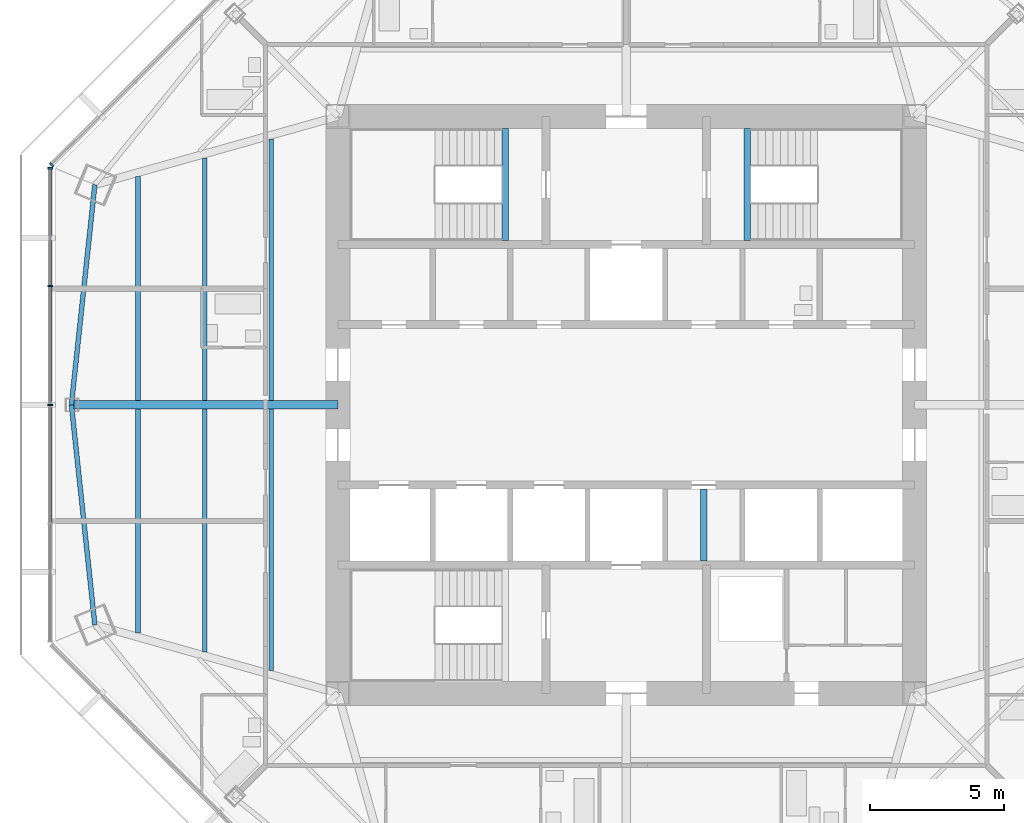
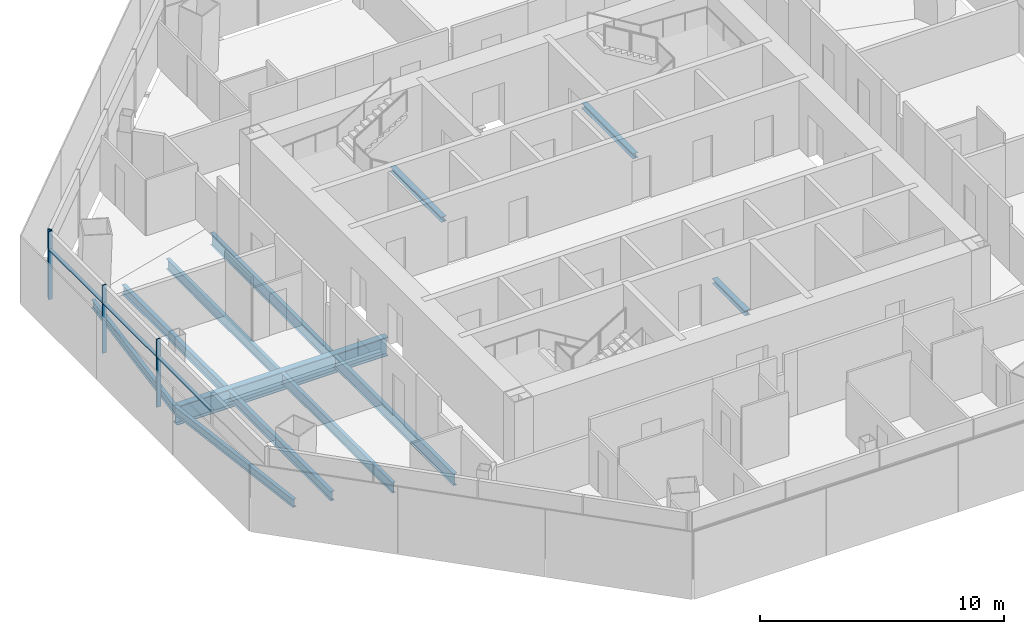
# One storey, part 3 of 15: 12 beams, 7 members, 2 elements without a shape of their own.
"""IFC4 building model written with IfcOpenShell, lengths in metres."""

import ifcopenshell
import ifcopenshell.guid

model = None  # the IFC model being written
_history = None  # IfcOwnerHistory: only IFC2X3 demands one
_inside = {}  # id of a spatial element -> (the spatial element, [elements in it])
_under = {}  # id of a project, library or spatial element -> (it, [spatial elements below it])
_declared = {}  # id of a project -> (the project, [libraries it declares])
_typed = {}  # id of a type object -> (the type object, [elements of that type])
_made_of = {}  # id of a material, layer set ... -> (it, [elements and type objects made of it])


def new_model(schema):
    """Start an empty IFC model of exactly this schema.

    Asked for "IFC4X3", IfcOpenShell would pick the latest addendum, in which some entities
    have other attributes; the version numbers below select the first issue.
    IFC2X3 requires an IfcOwnerHistory on every rooted entity: one is made here for all.
    """
    global model, _history
    if schema == "IFC4X3":
        model = ifcopenshell.file(schema_version=(4, 3, 0, 0))
    else:
        model = ifcopenshell.file(schema=schema)
    _inside.clear()
    _under.clear()
    _declared.clear()
    _typed.clear()
    _made_of.clear()
    _history = None
    if model.schema == "IFC2X3":
        org = make("IfcOrganization", Name="unknown")
        user = make(
            "IfcPersonAndOrganization",
            ThePerson=make("IfcPerson", FamilyName="unknown"),
            TheOrganization=org,
        )
        app = make(
            "IfcApplication",
            ApplicationDeveloper=org,
            Version="unknown",
            ApplicationFullName="unknown",
            ApplicationIdentifier="unknown",
        )
        _history = make(
            "IfcOwnerHistory",
            OwningUser=user,
            OwningApplication=app,
            ChangeAction="ADDED",
            CreationDate=0,
        )
    return model


def make(cls, **values):
    """One entity of the class cls with the attributes given. An attribute that is None is left unset."""
    return model.create_entity(
        cls, **{name: value for name, value in values.items() if value is not None}
    )


def rooted(cls, **values):
    """An entity with a GlobalId (a new one), such as an element, a storey or a relation."""
    return make(cls, GlobalId=ifcopenshell.guid.new(), OwnerHistory=_history, **values)


def si_unit(unit_type, name, prefix=None):
    """IfcSIUnit, for example si_unit("LENGTHUNIT", "METRE", prefix="MILLI")."""
    return make("IfcSIUnit", UnitType=unit_type, Prefix=prefix, Name=name)


def assignment(units):
    """IfcUnitAssignment: the units of a project."""
    return None if units is None else make("IfcUnitAssignment", Units=units)


def point(xyz):
    """IfcCartesianPoint."""
    return None if xyz is None else make("IfcCartesianPoint", Coordinates=xyz)


def direction(xyz):
    """IfcDirection."""
    return None if xyz is None else make("IfcDirection", DirectionRatios=xyz)


def frame(location, z_axis=None, x_axis=None):
    """IfcAxis2Placement3D, a coordinate frame: its origin and axes. An axis left out is left unset."""
    return make(
        "IfcAxis2Placement3D",
        Location=point(location),
        Axis=direction(z_axis),
        RefDirection=direction(x_axis),
    )


def frame_2d(location, x_axis=None):
    """IfcAxis2Placement2D, a coordinate frame in the plane: its origin and x axis."""
    return make(
        "IfcAxis2Placement2D", Location=point(location), RefDirection=direction(x_axis)
    )


def origin():
    """The frame at (0, 0, 0) with its axes left unset."""
    return frame((0.0, 0.0, 0.0))


def origin_2d():
    """The frame at (0, 0) in the plane with its x axis left unset."""
    return frame_2d((0.0, 0.0))


def place(relative_to, where):
    """IfcLocalPlacement: puts the frame where relative to a parent placement (None: the world)."""
    return make(
        "IfcLocalPlacement", PlacementRelTo=relative_to, RelativePlacement=where
    )


def context(
    kind, dimensions, precision=None, world=None, true_north=None, identifier=None
):
    """IfcGeometricRepresentationContext, for example the 3D "Model" context."""
    return make(
        "IfcGeometricRepresentationContext",
        ContextIdentifier=identifier,
        ContextType=kind,
        CoordinateSpaceDimension=dimensions,
        Precision=precision,
        WorldCoordinateSystem=world,
        TrueNorth=true_north,
    )


def subcontext(parent, identifier, kind, view, scale=None):
    """IfcGeometricRepresentationSubContext, for example "Body" below "Model"."""
    return make(
        "IfcGeometricRepresentationSubContext",
        ContextIdentifier=identifier,
        ContextType=kind,
        ParentContext=parent,
        TargetScale=scale,
        TargetView=view,
    )


def project(units=None, contexts=None):
    """IfcProject with its units and contexts."""
    return rooted(
        "IfcProject",
        Name="project",
        RepresentationContexts=contexts,
        UnitsInContext=assignment(units),
    )


def spatial(cls, under=None, at=None, **own):
    """A site, building, storey or space (cls), placed at a placement, below another one or the project."""
    s = rooted(cls, ObjectPlacement=at, **own)
    if under is not None:
        _under.setdefault(under.id(), (under, []))[1].append(s)
    return s


def profile(cls, at=None, kind="AREA", **sizes):
    """A parametric profile (cls). Its sizes go by their IFC names, for example OverallWidth=200.0."""
    return make(cls, ProfileType=kind, Position=at, **sizes)


def rectangle(**sizes):
    """IfcRectangleProfileDef."""
    return profile("IfcRectangleProfileDef", **sizes)


def i_section(**sizes):
    """IfcIShapeProfileDef."""
    return profile("IfcIShapeProfileDef", **sizes)


def extrude(swept, where, along, depth):
    """IfcExtrudedAreaSolid: the profile swept, set in the frame where, extruded along a direction by depth."""
    return make(
        "IfcExtrudedAreaSolid",
        SweptArea=swept,
        Position=where,
        ExtrudedDirection=direction(along),
        Depth=depth,
    )


def shape(context_of_items, identifier, shape_type, items):
    """IfcShapeRepresentation: the items that make up one representation, for example the "Body"."""
    return make(
        "IfcShapeRepresentation",
        ContextOfItems=context_of_items,
        RepresentationIdentifier=identifier,
        RepresentationType=shape_type,
        Items=items,
    )


def source(mapping_origin, context_of_items, identifier, shape_type, items):
    """IfcRepresentationMap: a shape defined once, which mapped items show again and again."""
    return make(
        "IfcRepresentationMap",
        MappingOrigin=mapping_origin,
        MappedRepresentation=shape(context_of_items, identifier, shape_type, items),
    )


def transform(
    local_origin,
    x_axis=None,
    y_axis=None,
    z_axis=None,
    scale=None,
    scale2=None,
    scale3=None,
    uniform=True,
):
    """IfcCartesianTransformationOperator3D, or its non-uniform kind. x_axis, y_axis, z_axis: its Axis1, 2, 3."""
    if uniform:
        return make(
            "IfcCartesianTransformationOperator3D",
            Axis1=direction(x_axis),
            Axis2=direction(y_axis),
            LocalOrigin=point(local_origin),
            Scale=scale,
            Axis3=direction(z_axis),
        )
    return make(
        "IfcCartesianTransformationOperator3DnonUniform",
        Axis1=direction(x_axis),
        Axis2=direction(y_axis),
        LocalOrigin=point(local_origin),
        Scale=scale,
        Axis3=direction(z_axis),
        Scale2=scale2,
        Scale3=scale3,
    )


def mapped(mapping_source, mapping_target):
    """IfcMappedItem: shows the shape of a source again, moved by a transform."""
    return make(
        "IfcMappedItem", MappingSource=mapping_source, MappingTarget=mapping_target
    )


def material(Name=None, Category=None):
    """IfcMaterial."""
    return make("IfcMaterial", Name=Name, Category=Category)


def material_profile(
    of_material, cross_section, Name=None, Category=None, Priority=None
):
    """IfcMaterialProfile: a cross section and its material."""
    return make(
        "IfcMaterialProfile",
        Name=Name,
        Material=of_material,
        Profile=cross_section,
        Priority=Priority,
        Category=Category,
    )


def profile_set(profiles, Name=None, composite=None):
    """IfcMaterialProfileSet."""
    return make(
        "IfcMaterialProfileSet",
        Name=Name,
        MaterialProfiles=profiles,
        CompositeProfile=composite,
    )


def made_of(thing, what):
    """Note that an element or type object is made of a material, layer set ...; save() writes the relation."""
    if what is not None:
        _made_of.setdefault(what.id(), (what, []))[1].append(thing)
    return thing


def type_object(cls, material=None, **own):
    """A type object (cls), such as IfcWallType, which elements share."""
    return made_of(rooted(cls, **own), material)


def type_shapes(of_type, sources):
    """Give a type object the sources (RepresentationMaps) that its elements show as mapped items."""
    of_type.RepresentationMaps = sources


def element(
    cls,
    number,
    at=None,
    inside=None,
    cuts=None,
    type_object=None,
    material=None,
    context=None,
    identifier="Body",
    shape_type=None,
    held_by="IfcProductDefinitionShape",
    body=None,
    shapes=None,
    **own,
):
    """One element of the class cls, such as IfcWall. Its Tag is "e" and its number.

    at: its placement. inside: the storey or other place that contains it. cuts: it is an
    opening in that element (IfcRelVoidsElement). A single representation is given by context,
    identifier, shape_type and body (its items); several are given by shapes. held_by: the class
    of the entity that holds the representations. save() writes the other relations.
    """
    e = rooted(cls, Tag="e%d" % number, ObjectPlacement=at, **own)
    if body is not None:
        shapes = [shape(context, identifier, shape_type, body)]
    if shapes is not None:
        e.Representation = make(held_by, Representations=shapes)
    if inside is not None:
        _inside.setdefault(inside.id(), (inside, []))[1].append(e)
    if cuts is not None:
        rooted(
            "IfcRelVoidsElement", RelatingBuildingElement=cuts, RelatedOpeningElement=e
        )
    if type_object is not None:
        _typed.setdefault(type_object.id(), (type_object, []))[1].append(e)
    return made_of(e, material)


def aggregate(whole, parts):
    """IfcRelAggregates: a whole, such as a stair, and the parts it consists of."""
    return rooted("IfcRelAggregates", RelatingObject=whole, RelatedObjects=parts)


def save(model, path):
    """Write the relations noted so far, then the file.

    IfcRelAggregates (storeys below a building ...), IfcRelContainedInSpatialStructure (elements
    in a storey), IfcRelDefinesByType, IfcRelAssociatesMaterial and IfcRelDeclares: one each for
    every whole, place, type object, material and project.
    """
    for whole, parts in _under.values():
        aggregate(whole, parts)
    for where, things in _inside.values():
        rooted(
            "IfcRelContainedInSpatialStructure",
            RelatedElements=things,
            RelatingStructure=where,
        )
    for kind, things in _typed.values():
        rooted("IfcRelDefinesByType", RelatedObjects=things, RelatingType=kind)
    for what, things in _made_of.values():
        rooted("IfcRelAssociatesMaterial", RelatedObjects=things, RelatingMaterial=what)
    for by, libraries in _declared.values():
        rooted("IfcRelDeclares", RelatingContext=by, RelatedDefinitions=libraries)
    model.write(path)


model = new_model("IFC4")

# Units and contexts
model_context = context("Model", 3, precision=1e-05, world=origin(), true_north=direction((0.0, 1.0)))
body_context = subcontext(model_context, "Body", "Model", "MODEL_VIEW")
ifc_project = project(units=[si_unit("LENGTHUNIT", "METRE"), si_unit("AREAUNIT", "SQUARE_METRE"), si_unit("VOLUMEUNIT", "CUBIC_METRE"), si_unit("PLANEANGLEUNIT", "RADIAN"), si_unit("MASSUNIT", "GRAM", prefix="KILO")], contexts=[model_context])

# Site, building, storey
site_placement = place(None, origin())
site = spatial("IfcSite", under=ifc_project, at=site_placement, CompositionType="ELEMENT")
building_placement = place(site_placement, origin())
building = spatial("IfcBuilding", under=site, at=building_placement, Name="Mashrafa Tower", CompositionType="ELEMENT")
storey_placement = place(building_placement, frame((0.0, 0.0, 227.800048828125)))
storey = spatial("IfcBuildingStorey", under=building, at=storey_placement, Name="L53", CompositionType="ELEMENT", Elevation=227.800048828125)

# Beams
ifc_material_1 = material(Name="Steel ASTM A992", Category="steel")
ifc_material_profile_1 = material_profile(ifc_material_1, i_section(OverallWidth=0.177734375, OverallDepth=0.406494140625, WebThickness=0.0078125, FlangeThickness=0.012939453125, FilletRadius=0.01025390625, at=origin_2d()), Name="W16X40")
ifc_profile_set_1 = profile_set([ifc_material_profile_1], Name="Steel ASTM A992")
beam_type_1 = type_object("IfcBeamType", Name="Beam W16X40", PredefinedType="BEAM", material=ifc_profile_set_1)
for number, where, z_axis, x_axis, name in (
    (1, (-20.776123046875, 0.0, -0.4033203125), (0.105949651056, -0.99437149569, 0.0), (0.99437149569, 0.105949651056, 0.0), "Spandrel beam L53 049"),
    (2, (-19.89794921875, 8.241943359375, -0.4033203125), (-0.105949651056, -0.99437149569, 0.0), (0.99437149569, -0.105949651056, 0.0), "Spandrel beam L53 051"),
):
    element("IfcBeam", number, at=place(storey_placement, frame(where, z_axis=z_axis, x_axis=x_axis)), inside=storey, type_object=beam_type_1, Name=name, PredefinedType="BEAM", context=body_context, shape_type="SweptSolid", body=[
        extrude(i_section(OverallWidth=0.177734375, OverallDepth=0.406494140625, WebThickness=0.0078125, FlangeThickness=0.012939453125, FilletRadius=0.01025390625, at=origin_2d()), origin(), (0.0, 0.0, 1.0), 8.28857421875),
    ])
ifc_material_2 = material(Name="Steel ASTM A992", Category="steel")
ifc_material_profile_2 = material_profile(ifc_material_2, i_section(OverallWidth=0.191162109375, OverallDepth=0.459716796875, WebThickness=0.010009765625, FlangeThickness=0.01611328125, FilletRadius=0.01025390625, at=origin_2d()), Name="W18X55")
ifc_profile_set_2 = profile_set([ifc_material_profile_2], Name="Steel ASTM A992")
beam_type_2 = type_object("IfcBeamType", Name="Beam W18X55", PredefinedType="BEAM", material=ifc_profile_set_2)
for number, where, z_axis, x_axis, name in (
    (3, (-18.2822265625, -8.544677734375, -0.429931640625), (0.0, 1.0, 0.0), (-1.0, 0.0, 0.0), "Floor beam L53 001"),
    (4, (-18.2822265625, 0.15380859375, -0.429931640625), (0.0, 1.0, 0.0), (-1.0, 0.0, 0.0), "Floor beam L53 002"),
):
    element("IfcBeam", number, at=place(storey_placement, frame(where, z_axis=z_axis, x_axis=x_axis)), inside=storey, type_object=beam_type_2, Name=name, PredefinedType="BEAM", context=body_context, shape_type="SweptSolid", body=[
        extrude(i_section(OverallWidth=0.191162109375, OverallDepth=0.459716796875, WebThickness=0.010009765625, FlangeThickness=0.01611328125, FilletRadius=0.01025390625, at=origin_2d()), origin(), (0.0, 0.0, 1.0), 8.390869140625),
    ])
ifc_material_3 = material(Name="Steel ASTM A992", Category="steel")
ifc_material_profile_3 = material_profile(ifc_material_3, i_section(OverallWidth=0.1650390625, OverallDepth=0.52587890625, WebThickness=0.0087890625, FlangeThickness=0.011474609375, FilletRadius=0.0126953125, at=origin_2d()), Name="W21X44")
ifc_profile_set_3 = profile_set([ifc_material_profile_3], Name="Steel ASTM A992")
beam_type_3 = type_object("IfcBeamType", Name="Beam W21X44", PredefinedType="BEAM", material=ifc_profile_set_3)
for number, where, z_axis, x_axis, name in (
    (5, (-15.7880859375, -9.245849609375, -0.462890625), (0.0, 1.0, 0.0), (-1.0, 0.0, 0.0), "Floor beam L53 004"),
    (6, (-15.7880859375, 0.15380859375, -0.462890625), (0.0, 1.0, 0.0), (-1.0, 0.0, 0.0), "Floor beam L53 005"),
):
    element("IfcBeam", number, at=place(storey_placement, frame(where, z_axis=z_axis, x_axis=x_axis)), inside=storey, type_object=beam_type_3, Name=name, PredefinedType="BEAM", context=body_context, shape_type="SweptSolid", body=[
        extrude(i_section(OverallWidth=0.1650390625, OverallDepth=0.52587890625, WebThickness=0.0087890625, FlangeThickness=0.011474609375, FilletRadius=0.0126953125, at=origin_2d()), origin(), (0.0, 0.0, 1.0), 9.092041015625),
    ])
ifc_material_4 = material(Name="Steel ASTM A992", Category="steel")
ifc_material_profile_4 = material_profile(ifc_material_4, i_section(OverallWidth=0.177978515625, OverallDepth=0.599365234375, WebThickness=0.010009765625, FlangeThickness=0.012939453125, FilletRadius=0.012939453125, at=origin_2d()), Name="W24X55")
ifc_profile_set_4 = profile_set([ifc_material_profile_4], Name="Steel ASTM A992")
beam_type_4 = type_object("IfcBeamType", Name="Beam W24X55", PredefinedType="BEAM", material=ifc_profile_set_4)
for number, where, z_axis, x_axis, name in (
    (7, (-13.294189453125, -9.947021484375, -0.499755859375), (0.0, 1.0, 0.0), (-1.0, 0.0, 0.0), "Floor beam L53 006"),
    (8, (-13.294189453125, 0.15380859375, -0.499755859375), (0.0, 1.0, 0.0), (-1.0, 0.0, 0.0), "Floor beam L53 007"),
):
    element("IfcBeam", number, at=place(storey_placement, frame(where, z_axis=z_axis, x_axis=x_axis)), inside=storey, type_object=beam_type_4, Name=name, PredefinedType="BEAM", context=body_context, shape_type="SweptSolid", body=[
        extrude(i_section(OverallWidth=0.177978515625, OverallDepth=0.599365234375, WebThickness=0.010009765625, FlangeThickness=0.012939453125, FilletRadius=0.012939453125, at=origin_2d()), origin(), (0.0, 0.0, 1.0), 9.793212890625),
    ])
ifc_material_5 = material(Name="Steel ASTM A992", Category="steel")
ifc_material_profile_5 = material_profile(ifc_material_5, i_section(OverallWidth=0.307373046875, OverallDepth=0.927001953125, WebThickness=0.01953125, FlangeThickness=0.031982421875, FilletRadius=0.01904296875, at=origin_2d()), Name="W36X194")
ifc_profile_set_5 = profile_set([ifc_material_profile_5], Name="Steel ASTM A992")
beam_type_5 = type_object("IfcBeamType", Name="Beam W36X194", PredefinedType="BEAM", material=ifc_profile_set_5)
beam_1_placement = place(storey_placement, frame((-10.800048828125, 0.0, -0.66357421875), z_axis=(-1.0, 0.0, 0.0), x_axis=(0.0, -1.0, 0.0)))
element("IfcBeam", 9, at=beam_1_placement, inside=storey, type_object=beam_type_5, Name="Radial girder L53 036", PredefinedType="BEAM", context=body_context, shape_type="SweptSolid", body=[
    extrude(i_section(OverallWidth=0.307373046875, OverallDepth=0.927001953125, WebThickness=0.01953125, FlangeThickness=0.031982421875, FilletRadius=0.01904296875, at=origin_2d()), origin(), (0.0, 0.0, 1.0), 9.97607421875),
])
ifc_material_6 = material(Name="Steel ASTM A992", Category="steel")
ifc_material_profile_6 = material_profile(ifc_material_6, i_section(OverallWidth=0.25390625, OverallDepth=0.25390625, WebThickness=0.008544921875, FlangeThickness=0.01416015625, FilletRadius=0.010009765625, at=origin_2d()), Name="W10X49")
ifc_profile_set_6 = profile_set([ifc_material_profile_6], Name="Steel ASTM A992")
beam_type_6 = type_object("IfcBeamType", Name="Hoistway beam W10X49", PredefinedType="BEAM", material=ifc_profile_set_6)
beam_2_placement = place(storey_placement, frame((2.89990234375, -5.85009765625, -0.3271484375), z_axis=(0.0, 1.0, 0.0), x_axis=(-1.0, 0.0, 0.0)))
element("IfcBeam", 10, at=beam_2_placement, inside=storey, type_object=beam_type_6, Name="Hoistway beam L53 07", PredefinedType="BEAM", context=body_context, shape_type="SweptSolid", body=[
    extrude(i_section(OverallWidth=0.25390625, OverallDepth=0.25390625, WebThickness=0.008544921875, FlangeThickness=0.01416015625, FilletRadius=0.010009765625, at=origin_2d()), origin(), (0.0, 0.0, 1.0), 2.7001953125),
])
for number, where, z_axis, x_axis, name in (
    (11, (-4.530029296875, 6.14990234375, -0.3271484375), (0.0, 1.0, 0.0), (-1.0, 0.0, 0.0), "Stair S1 landing beam L53"),
    (12, (4.530029296875, 6.14990234375, -0.3271484375), (0.0, 1.0, 0.0), (-1.0, 0.0, 0.0), "Stair S2 landing beam L53"),
):
    element("IfcBeam", number, at=place(storey_placement, frame(where, z_axis=z_axis, x_axis=x_axis)), inside=storey, type_object=beam_type_6, Name=name, PredefinedType="BEAM", context=body_context, shape_type="SweptSolid", body=[
        extrude(i_section(OverallWidth=0.25390625, OverallDepth=0.25390625, WebThickness=0.008544921875, FlangeThickness=0.01416015625, FilletRadius=0.010009765625, at=origin_2d()), origin(), (0.0, 0.0, 1.0), 4.2001953125),
    ])

# Curtain wall, member
ifc_material_7 = material(Name="Unitised aluminium curtain wall", Category="aluminium")
curtain_wall_type = type_object("IfcCurtainWallType", Name="Apartment curtain wall, zone 3 CW-C 180 deep", PredefinedType="NOTDEFINED", material=ifc_material_7)
curtain_wall_1_placement = place(storey_placement, origin())
curtain_wall_1 = element("IfcCurtainWall", 13, at=curtain_wall_1_placement, inside=storey, type_object=curtain_wall_type, Name="Apartment curtain wall, zone 3 L53 north-west", PredefinedType="NOTDEFINED")
ifc_material_8 = material(Name="Extruded aluminium mullion", Category="aluminium")
ifc_material_profile_7 = material_profile(ifc_material_8, rectangle(XDim=0.179931640625, YDim=0.06005859375, at=origin_2d()), Name="Mullion 60x180")
ifc_profile_set_7 = profile_set([ifc_material_profile_7], Name="Extruded aluminium mullion")
member_type_1 = type_object("IfcMemberType", Name="Mullion CW-C 60 x 180", PredefinedType="MULLION", material=ifc_profile_set_7)
shared_shape_1 = source(origin(), body_context, "Body", "SweptSolid", [
    extrude(rectangle(XDim=0.179931640625, YDim=0.06005859375, at=origin_2d()), origin(), (0.0, 0.0, 1.0), 3.39990234375),
])
type_shapes(member_type_1, [shared_shape_1])
member_1_placement = place(storey_placement, frame((-21.515869140625, 8.989501953125, 0.0), z_axis=(0.0, 0.0, 1.0), x_axis=(0.707106781187, -0.707106781187, 0.0)))
member_1 = element("IfcMember", 14, at=member_1_placement, type_object=member_type_1, Name="CW-C mullion 5", PredefinedType="MULLION", context=body_context, shape_type="MappedRepresentation", body=[
    mapped(shared_shape_1, transform((0.0, 0.0, 0.0))),
])
aggregate(curtain_wall_1, [member_1])

# Curtain wall, members
curtain_wall_2_placement = place(storey_placement, origin())
curtain_wall_2 = element("IfcCurtainWall", 15, at=curtain_wall_2_placement, inside=storey, type_object=curtain_wall_type, Name="Apartment curtain wall, zone 3 L53 west", PredefinedType="NOTDEFINED")
member_2_placement = place(storey_placement, frame((-21.570556640625, 8.857666015625, 0.0), z_axis=(0.0, 0.0, 1.0), x_axis=(1.0, 0.0, 0.0)))
member_2 = element("IfcMember", 16, at=member_2_placement, type_object=member_type_1, Name="CW-C mullion 1", PredefinedType="MULLION", context=body_context, shape_type="MappedRepresentation", body=[
    mapped(shared_shape_1, transform((0.0, 0.0, 0.0))),
])
member_3_placement = place(storey_placement, frame((-21.570556640625, 4.44384765625, 0.0), z_axis=(0.0, 0.0, 1.0), x_axis=(1.0, 0.0, 0.0)))
member_3 = element("IfcMember", 17, at=member_3_placement, type_object=member_type_1, Name="CW-C mullion 2", PredefinedType="MULLION", context=body_context, shape_type="MappedRepresentation", body=[
    mapped(shared_shape_1, transform((0.0, 0.0, 0.0))),
])
member_4_placement = place(storey_placement, frame((-21.570556640625, 0.0, 0.0), z_axis=(0.0, 0.0, 1.0), x_axis=(1.0, 0.0, 0.0)))
member_4 = element("IfcMember", 18, at=member_4_placement, type_object=member_type_1, Name="CW-C mullion 3", PredefinedType="MULLION", context=body_context, shape_type="MappedRepresentation", body=[
    mapped(shared_shape_1, transform((0.0, 0.0, 0.0))),
])
ifc_material_9 = material(Name="Extruded aluminium transom", Category="aluminium")
ifc_material_profile_8 = material_profile(ifc_material_9, rectangle(XDim=0.14404296875, YDim=0.074951171875, at=origin_2d()), Name="Transom 75x144")
ifc_profile_set_8 = profile_set([ifc_material_profile_8], Name="Extruded aluminium transom")
member_type_2 = type_object("IfcMemberType", Name="Transom CW-C 75 x 144", PredefinedType="MULLION", material=ifc_profile_set_8)
shared_shape_2 = source(origin(), body_context, "Body", "SweptSolid", [
    extrude(rectangle(XDim=0.14404296875, YDim=0.074951171875, at=origin_2d()), origin(), (0.0, 0.0, 1.0), 4.353759765625),
])
member_5_placement = place(storey_placement, frame((-21.570556640625, 8.82763671875, 2.5), z_axis=(0.0, -1.0, 0.0), x_axis=(1.0, 0.0, 0.0)))
member_5 = element("IfcMember", 19, at=member_5_placement, type_object=member_type_2, Name="CW-C transom 1", PredefinedType="MULLION", context=body_context, shape_type="MappedRepresentation", body=[
    mapped(shared_shape_2, transform((0.0, 0.0, 0.0))),
])
shared_shape_3 = source(origin(), body_context, "Body", "SweptSolid", [
    extrude(rectangle(XDim=0.14404296875, YDim=0.074951171875, at=origin_2d()), origin(), (0.0, 0.0, 1.0), 4.3837890625),
])
type_shapes(member_type_2, [shared_shape_2, shared_shape_3])
member_6_placement = place(storey_placement, frame((-21.570556640625, 4.413818359375, 2.5), z_axis=(0.0, -1.0, 0.0), x_axis=(1.0, 0.0, 0.0)))
member_6 = element("IfcMember", 20, at=member_6_placement, type_object=member_type_2, Name="CW-C transom 2", PredefinedType="MULLION", context=body_context, shape_type="MappedRepresentation", body=[
    mapped(shared_shape_3, transform((0.0, 0.0, 0.0))),
])
member_7_placement = place(storey_placement, frame((-21.570556640625, -0.030029296875, 2.5), z_axis=(0.0, -1.0, 0.0), x_axis=(1.0, 0.0, 0.0)))
member_7 = element("IfcMember", 21, at=member_7_placement, type_object=member_type_2, Name="CW-C transom 3", PredefinedType="MULLION", context=body_context, shape_type="MappedRepresentation", body=[
    mapped(shared_shape_3, transform((0.0, 0.0, 0.0))),
])
aggregate(curtain_wall_2, [member_2, member_3, member_4, member_5, member_6, member_7])

save(model, "model.ifc")
